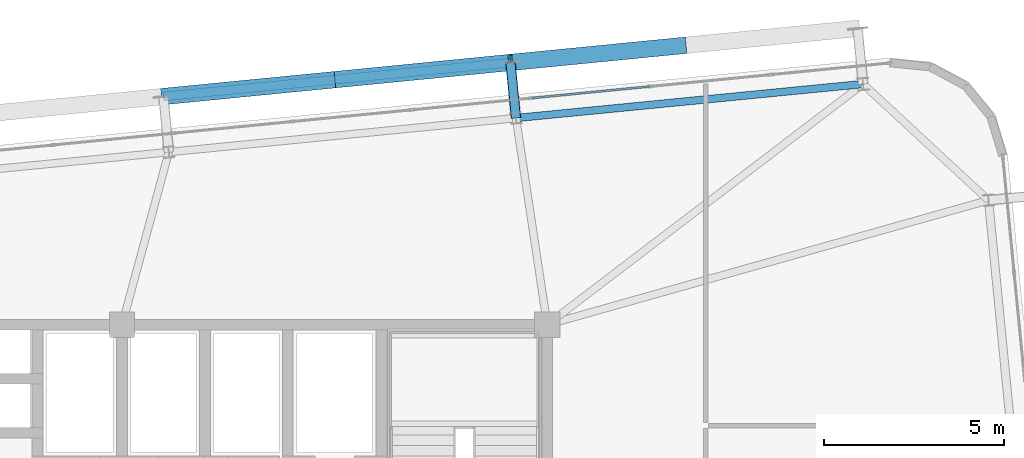
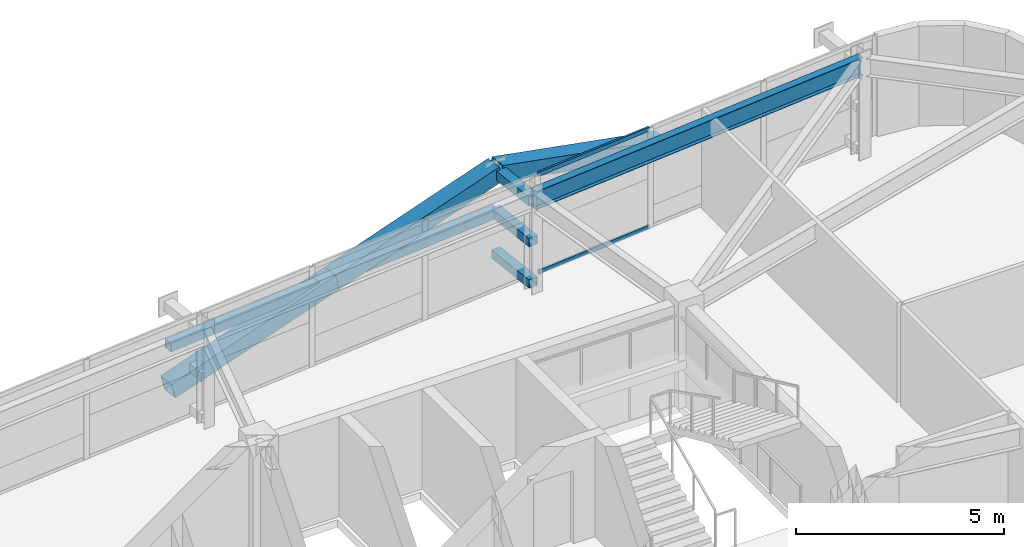
# One storey, part 32 of 54: 9 members, 1 beam, 1 element without a shape of its own.
"""IFC4 building model written with IfcOpenShell, lengths in metres."""

from ifc_helpers import new_model, si_unit, direction, frame, origin, origin_2d, place, context, subcontext, project, spatial, hollow_rectangle, i_section, extrude, source, transform, mapped, material, layer, layer_set, material_profile, profile_set, type_object, element, aggregate, save


model = new_model("IFC4")

# Units and contexts
model_context = context("Model", 3, precision=1e-05, world=origin(), true_north=direction((0.0, 1.0)))
body_context = subcontext(model_context, "Body", "Model", "MODEL_VIEW")
ifc_project = project(units=[si_unit("LENGTHUNIT", "METRE"), si_unit("AREAUNIT", "SQUARE_METRE"), si_unit("VOLUMEUNIT", "CUBIC_METRE"), si_unit("PLANEANGLEUNIT", "RADIAN"), si_unit("MASSUNIT", "GRAM", prefix="KILO")], contexts=[model_context])

# Site, building, storey
site_placement = place(None, origin())
site = spatial("IfcSite", under=ifc_project, at=site_placement, CompositionType="ELEMENT")
building_placement = place(site_placement, origin())
building = spatial("IfcBuilding", under=site, at=building_placement, Name="Taldren Reach Tower", CompositionType="ELEMENT")
storey_placement = place(building_placement, frame((0.0, 0.0, 102.89990234375)))
storey = spatial("IfcBuildingStorey", under=building, at=storey_placement, Name="L31", CompositionType="ELEMENT", Elevation=102.89990234375)

# Members
ifc_material_1 = material(Name="Steel Gr 450 (C450L0)", Category="steel")
ifc_material_profile_1 = material_profile(ifc_material_1, hollow_rectangle(XDim=0.27490234375, YDim=0.27490234375, WallThickness=0.00927734375, at=origin_2d()), Name="275x275x9.3SHS")
ifc_profile_set_1 = profile_set([ifc_material_profile_1], Name="Steel Gr 450 (C450L0)")
member_type_1 = type_object("IfcMemberType", Name="MB-TIE273", PredefinedType="STRUT", material=ifc_profile_set_1)
shared_shape_1 = source(origin(), body_context, "Body", "SweptSolid", [
    extrude(hollow_rectangle(XDim=0.27490234375, YDim=0.27490234375, WallThickness=0.00927734375, at=origin_2d()), origin(), (0.0, 0.0, 1.0), 1.5498046875),
])
member_1_placement = place(storey_placement, frame((50.132080078125, 37.7353515625, 2.650146484375), z_axis=(-0.097663201064, 0.995219523099, 0.0), x_axis=(-0.995219523099, -0.097663201064, 0.0)))
element("IfcMember", 1, at=member_1_placement, inside=storey, type_object=member_type_1, Name="Exoskeleton diaphragm tie strut B2-N5 L31", PredefinedType="STRUT", context=body_context, shape_type="MappedRepresentation", body=[
    mapped(shared_shape_1, transform((0.0, 0.0, 0.0), scale=1.0)),
])
ifc_material_2 = material(Name="Steel Gr 350 (C350L0)", Category="steel")
ifc_material_profile_2 = material_profile(ifc_material_2, hollow_rectangle(XDim=0.25, YDim=0.25, WallThickness=0.010009765625, at=origin_2d()), Name="250x250x10.0SHS")
ifc_profile_set_2 = profile_set([ifc_material_profile_2], Name="Steel Gr 350 (C350L0)")
member_type_2 = type_object("IfcMemberType", Name="MB-POST250", PredefinedType="POST", material=ifc_profile_set_2)
shared_shape_2 = source(origin(), body_context, "Body", "SweptSolid", [
    extrude(hollow_rectangle(XDim=0.25, YDim=0.25, WallThickness=0.010009765625, at=origin_2d()), origin(), (0.0, 0.0, 1.0), 1.5498046875),
])
for number, where, z_axis, x_axis, name in (
    (2, (50.132080078125, 37.7353515625, 0.22021484375), (-0.097663201064, 0.995219523099, 0.0), (-0.995219523099, -0.097663201064, 0.0), "Exoskeleton base diaphragm tie strut B2-N5 L31"),
    (3, (50.132080078125, 37.7353515625, 1.43505859375), (-0.097663201064, 0.995219523099, 0.0), (-0.995219523099, -0.097663201064, 0.0), "Exoskeleton mid-tier diaphragm tie B2-N5 L31"),
):
    element("IfcMember", number, at=place(storey_placement, frame(where, z_axis=z_axis, x_axis=x_axis)), inside=storey, type_object=member_type_2, Name=name, PredefinedType="POST", context=body_context, shape_type="MappedRepresentation", body=[
        mapped(shared_shape_2, transform((0.0, 0.0, 0.0), scale=1.0)),
    ])

# Beam
ifc_material_3 = material(Name="Steel Gr 350 (350PLUS)", Category="steel")
ifc_material_profile_3 = material_profile(ifc_material_3, i_section(OverallWidth=0.208984375, OverallDepth=0.528076171875, WebThickness=0.009521484375, FlangeThickness=0.01318359375, at=origin_2d()), Name="530UB82.0")
ifc_profile_set_3 = profile_set([ifc_material_profile_3], Name="Steel Gr 350 (350PLUS)")
beam_type = type_object("IfcBeamType", Name="SP-UB530B", PredefinedType="SPANDREL", material=ifc_profile_set_3)
shared_shape_3 = source(origin(), body_context, "Body", "SweptSolid", [
    extrude(i_section(OverallWidth=0.208984375, OverallDepth=0.528076171875, WebThickness=0.009521484375, FlangeThickness=0.01318359375, at=origin_2d()), origin(), (0.0, 0.0, 1.0), 9.679931640625),
])
beam_placement = place(storey_placement, frame((59.765869140625, 38.679931640625, 2.666015625), z_axis=(-0.995227612658, -0.097580730699, 0.0), x_axis=(0.097580730699, -0.995227612658, 0.0)))
element("IfcBeam", 4, at=beam_placement, inside=storey, type_object=beam_type, Name="Perimeter spandrel B2 N6-N5 L31", PredefinedType="SPANDREL", context=body_context, shape_type="MappedRepresentation", body=[
    mapped(shared_shape_3, transform((0.0, 0.0, 0.0), scale=1.0)),
])

# Members
ifc_material_profile_4 = material_profile(ifc_material_1, hollow_rectangle(XDim=0.4599609375, YDim=0.4599609375, WallThickness=0.01611328125, at=origin_2d()), Name="460x460x16.0SHS")
ifc_profile_set_4 = profile_set([ifc_material_profile_4], Name="Steel Gr 450 (C450L0)")
member_type_3 = type_object("IfcMemberType", Name="MB-EXO457", PredefinedType="BRACE", material=ifc_profile_set_4)
shared_shape_4 = source(origin(), body_context, "Body", "SweptSolid", [
    extrude(hollow_rectangle(XDim=0.4599609375, YDim=0.4599609375, WallThickness=0.01611328125, at=origin_2d()), origin(), (0.0, 0.0, 1.0), 4.990234375),
])
for number, where, z_axis, x_axis, name in (
    (5, (40.346923828125, 38.333251953125, 0.22021484375), (0.965282554799, 0.094669120301, 0.243448859234), (-0.097605711627, 0.995225162995, 0.0), "Exoskeleton Diagrid Brace B2-N4 L31"),
    (6, (45.163818359375, 38.8056640625, 1.43505859375), (0.965275526283, 0.094619506732, 0.243496010862), (-0.097555749586, 0.995230061706, 0.0), "Exoskeleton Diagrid Brace B2-N4 L31"),
    (7, (54.797607421875, 39.750244140625, 1.43505859375), (-0.965271056716, -0.094667992638, 0.243494883389), (0.097605711627, -0.995225162995, 0.0), "Exoskeleton Diagrid Brace B2-N5 L31"),
):
    element("IfcMember", number, at=place(storey_placement, frame(where, z_axis=z_axis, x_axis=x_axis)), inside=storey, type_object=member_type_3, Name=name, PredefinedType="BRACE", context=body_context, shape_type="MappedRepresentation", body=[
        mapped(shared_shape_4, transform((0.0, 0.0, 0.0), scale=1.0)),
    ])
shared_shape_5 = source(origin(), body_context, "Body", "SweptSolid", [
    extrude(hollow_rectangle(XDim=0.25, YDim=0.25, WallThickness=0.010009765625, at=origin_2d()), origin(), (0.0, 0.0, 1.0), 9.679931640625),
])
member_2_placement = place(storey_placement, frame((40.346923828125, 38.333251953125, 1.43505859375), z_axis=(0.995227612658, 0.097580730699, 0.0), x_axis=(-0.097580730699, 0.995227612658, 0.0)))
element("IfcMember", 8, at=member_2_placement, inside=storey, type_object=member_type_2, Name="Exoskeleton mid-height ring chord B2-N4 L31", PredefinedType="POST", context=body_context, shape_type="MappedRepresentation", body=[
    mapped(shared_shape_5, transform((0.0, 0.0, 0.0), scale=1.0)),
])

# Curtain wall, members
ifc_material_4 = material(Name="Aluminium and Low-E Glass Unitised System", Category="aluminium")
ifc_layer = layer(ifc_material_4, 0.159912109375)
ifc_layer_set = layer_set([ifc_layer], Name="Aluminium and Low-E Glass Unitised System")
curtain_wall_type = type_object("IfcCurtainWallType", Name="CW-SYS-3", PredefinedType="NOTDEFINED", material=ifc_layer_set)
curtain_wall_placement = place(storey_placement, origin())
curtain_wall = element("IfcCurtainWall", 9, at=curtain_wall_placement, inside=storey, type_object=curtain_wall_type, Name="Unitised curtain wall CW-L31-N", PredefinedType="NOTDEFINED")
ifc_material_5 = material(Name="Anodised Aluminium 6063-T6", Category="aluminium")
ifc_material_profile_5 = material_profile(ifc_material_5, hollow_rectangle(XDim=0.054931640625, YDim=0.1201171875, WallThickness=0.0029296875, at=origin_2d()), Name="ALU-120x55x3RHS")
ifc_profile_set_5 = profile_set([ifc_material_profile_5], Name="Anodised Aluminium 6063-T6")
member_type_4 = type_object("IfcMemberType", Name="CW-TRN-135", PredefinedType="USERDEFINED", material=ifc_profile_set_5)
shared_shape_6 = source(origin(), body_context, "Body", "SweptSolid", [
    extrude(hollow_rectangle(XDim=0.054931640625, YDim=0.1201171875, WallThickness=0.0029296875, at=origin_2d()), origin(), (0.0, 0.0, 1.0), 3.268310546875),
])
member_3_placement = place(storey_placement, frame((53.844970703125, 38.61181640625, 0.027587890625), z_axis=(-0.99522980512, -0.097558367146, 0.0), x_axis=(0.097558367146, -0.99522980512, 0.0)))
member_3 = element("IfcMember", 10, at=member_3_placement, type_object=member_type_4, Name="CW-3 transom 3.1", ObjectType="TRANSOM", PredefinedType="USERDEFINED", context=body_context, shape_type="MappedRepresentation", body=[
    mapped(shared_shape_6, transform((0.0, 0.0, 0.0), scale=1.0)),
])
member_4_placement = place(storey_placement, frame((53.844970703125, 38.61181640625, 2.902587890625), z_axis=(-0.99522980512, -0.097558367146, 0.0), x_axis=(0.097558367146, -0.99522980512, 0.0)))
member_4 = element("IfcMember", 11, at=member_4_placement, type_object=member_type_4, Name="CW-3 transom 3.2", ObjectType="TRANSOM", PredefinedType="USERDEFINED", context=body_context, shape_type="MappedRepresentation", body=[
    mapped(shared_shape_6, transform((0.0, 0.0, 0.0), scale=1.0)),
])
aggregate(curtain_wall, [member_3, member_4])

save(model, "model.ifc")
